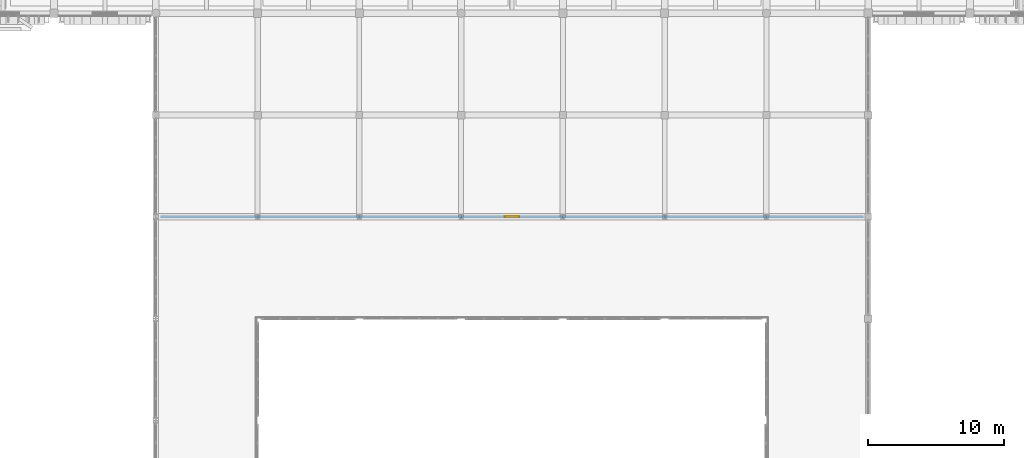
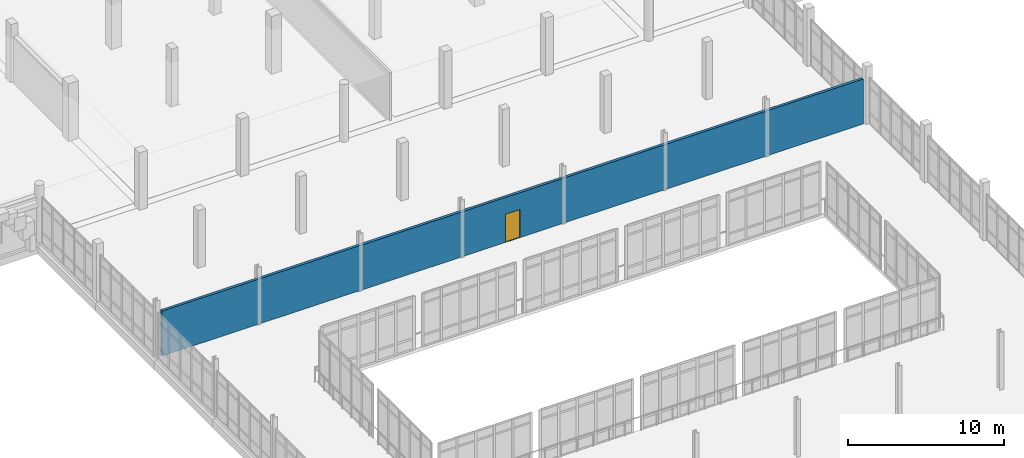
# One storey, part 99 of 128: 1 door, 1 wall, 1 opening.
"""IFC4 building model written with IfcOpenShell, lengths in metres."""

from ifc_helpers import new_model, si_unit, direction, frame, frame_2d, origin, place, context, subcontext, project, spatial, rectangle, extrude, material, layer, layer_set, type_object, element, fill, save


model = new_model("IFC4")

# Units and contexts
model_context = context("Model", 3, precision=1e-05, world=origin(), true_north=direction((0.0, 1.0)))
body_context = subcontext(model_context, "Body", "Model", "MODEL_VIEW")
ifc_project = project(units=[si_unit("LENGTHUNIT", "METRE"), si_unit("AREAUNIT", "SQUARE_METRE"), si_unit("VOLUMEUNIT", "CUBIC_METRE"), si_unit("PLANEANGLEUNIT", "RADIAN"), si_unit("MASSUNIT", "GRAM", prefix="KILO")], contexts=[model_context])

# Site, building, storey
site_placement = place(None, origin())
site = spatial("IfcSite", under=ifc_project, at=site_placement, CompositionType="ELEMENT")
building_placement = place(site_placement, origin())
building = spatial("IfcBuilding", under=site, at=building_placement, Name="Dalvernix Boulevard General Hospital", CompositionType="ELEMENT")
storey_placement = place(building_placement, frame((0.0, 0.0, 4.800048828125)))
storey = spatial("IfcBuildingStorey", under=building, at=storey_placement, Name="L01", CompositionType="ELEMENT", Elevation=4.800048828125)

# Wall, opening, door
ifc_material_1 = material(Name="Fire-compartment corridor masonry wall", Category="masonry")
ifc_layer = layer(ifc_material_1, 0.199951171875)
ifc_layer_set = layer_set([ifc_layer], Name="Fire-compartment corridor masonry wall (WAL-IW-02)")
wall_type = type_object("IfcWallType", Name="WAL-IW-02", PredefinedType="STANDARD", material=ifc_layer_set)
wall_placement = place(storey_placement, frame((60.35009765625, 61.5, 0.0), z_axis=(0.0, 0.0, 1.0), x_axis=(1.0, 0.0, 0.0)))
wall = element("IfcWall", 1, at=wall_placement, inside=storey, type_object=wall_type, Name="L01 Outpatient Specialist Consultation Gallery corridor wall", PredefinedType="STANDARD", context=body_context, shape_type="SweptSolid", body=[
    extrude(rectangle(XDim=51.7998046875, YDim=0.199951171875, at=frame_2d((25.89990234375, 0.0))), origin(), (0.0, 0.0, 1.0), 3.514892578125),
])
opening_placement = place(wall_placement, frame((25.375, 0.0, 0.0)))
opening = element("IfcOpeningElement", 2, at=opening_placement, cuts=wall, Name="Opening ID-07", PredefinedType="OPENING", context=body_context, shape_type="SweptSolid", body=[
    extrude(rectangle(XDim=1.050048828125, YDim=2.199951171875, at=frame_2d((0.52490234375, 1.10009765625))), frame((0.0, 0.10986328125, 0.0), z_axis=(0.0, -1.0, 0.0), x_axis=(1.0, 0.0, 0.0)), (0.0, 0.0, 1.0), 0.219970703125),
])
ifc_material_2 = material(Name="Hospital laminate acoustic timber and steel frame", Category="steel")
door_type = type_object("IfcDoorType", Name="DR-ID-07", OperationType="NOTDEFINED", PredefinedType="DOOR", material=ifc_material_2)
door_placement = place(opening_placement, origin())
door = element("IfcDoor", 3, at=door_placement, inside=storey, type_object=door_type, Name="L01 Outpatient Specialist Consultation Gallery door", OperationType="SINGLE_SWING_RIGHT", OverallHeight=2.199951171875, OverallWidth=1.050048828125, PredefinedType="DOOR", context=body_context, shape_type="SweptSolid", body=[
    extrude(rectangle(XDim=1.050048828125, YDim=2.199951171875, at=frame_2d((0.52490234375, 1.10009765625))), frame((0.0, 0.02490234375, 0.0), z_axis=(0.0, -1.0, 0.0), x_axis=(1.0, 0.0, 0.0)), (0.0, 0.0, 1.0), 0.050048828125),
])
fill(opening, door)

save(model, "model.ifc")
